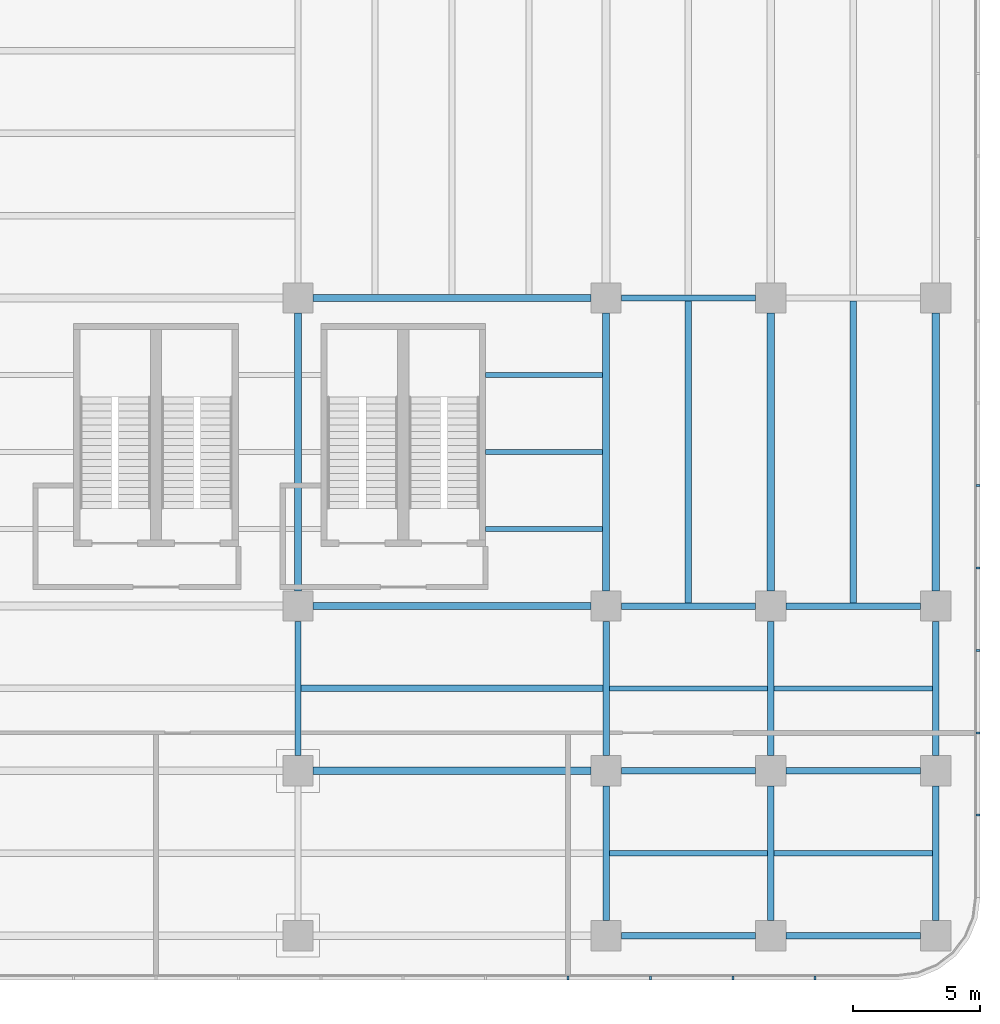
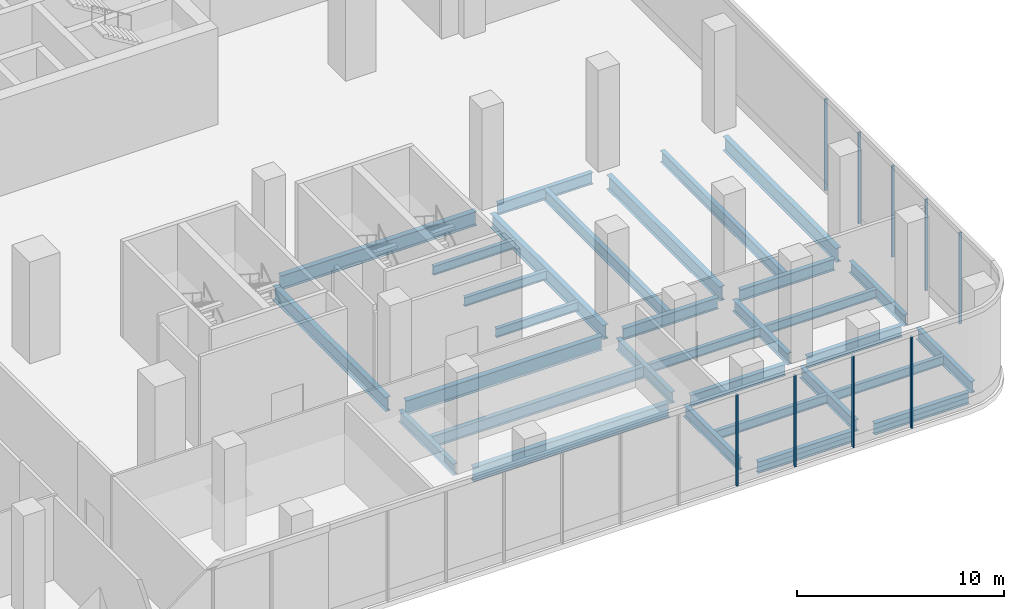
# One storey, part 15 of 41: 31 beams, 9 members, 2 elements without a shape of their own.
"""IFC4 building model written with IfcOpenShell, lengths in metres."""

from ifc_helpers import new_model, si_unit, direction, frame, origin, origin_2d, place, context, subcontext, project, spatial, rectangle, i_section, extrude, source, transform, mapped, material, layer, layer_set, material_profile, profile_set, type_object, element, aggregate, save


model = new_model("IFC4")

# Units and contexts
model_context = context("Model", 3, precision=1e-05, world=origin(), true_north=direction((0.0, 1.0)))
body_context = subcontext(model_context, "Body", "Model", "MODEL_VIEW")
ifc_project = project(units=[si_unit("LENGTHUNIT", "METRE"), si_unit("AREAUNIT", "SQUARE_METRE"), si_unit("VOLUMEUNIT", "CUBIC_METRE"), si_unit("PLANEANGLEUNIT", "RADIAN"), si_unit("MASSUNIT", "GRAM", prefix="KILO")], contexts=[model_context])

# Site, building, storey
site_placement = place(None, origin())
site = spatial("IfcSite", under=ifc_project, at=site_placement, CompositionType="ELEMENT")
building_placement = place(site_placement, origin())
building = spatial("IfcBuilding", under=site, at=building_placement, Name="Trellis Farm Tower", CompositionType="ELEMENT")
storey_placement = place(building_placement, frame((0.0, 0.0, 8.0)))
storey = spatial("IfcBuildingStorey", under=building, at=storey_placement, Name="L01", CompositionType="ELEMENT", Elevation=8.0)

# Beams
ifc_material_1 = material(Name="Steel S355", Category="steel")
ifc_material_profile_1 = material_profile(ifc_material_1, i_section(OverallWidth=0.253662109375, OverallDepth=0.68359375, WebThickness=0.012451171875, FlangeThickness=0.021728515625, FilletRadius=0.01513671875, at=origin_2d()), Name="UB 686x254x140")
ifc_profile_set_1 = profile_set([ifc_material_profile_1], Name="Steel S355")
beam_type_1 = type_object("IfcBeamType", Name="UB 686x254x140", PredefinedType="BEAM", material=ifc_profile_set_1)
shared_shape_1 = source(origin(), body_context, "Body", "SweptSolid", [
    extrude(i_section(OverallWidth=0.253662109375, OverallDepth=0.68359375, WebThickness=0.012451171875, FlangeThickness=0.021728515625, FilletRadius=0.01513671875, at=origin_2d()), origin(), (0.0, 0.0, 1.0), 5.2998046875),
])
for number, where, z_axis, x_axis, name in (
    (1, (31.35009765625, -43.75, -0.641845703125), (1.0, 0.0, 0.0), (0.0, 1.0, 0.0), "Girder"),
    (2, (37.85009765625, -43.75, -0.641845703125), (1.0, 0.0, 0.0), (0.0, 1.0, 0.0), "Girder"),
    (3, (31.35009765625, -37.25, -0.641845703125), (1.0, 0.0, 0.0), (0.0, 1.0, 0.0), "Girder"),
    (4, (37.85009765625, -37.25, -0.641845703125), (1.0, 0.0, 0.0), (0.0, 1.0, 0.0), "Girder"),
    (5, (31.35009765625, -30.75, -0.641845703125), (1.0, 0.0, 0.0), (0.0, 1.0, 0.0), "Girder"),
    (6, (37.85009765625, -30.75, -0.641845703125), (1.0, 0.0, 0.0), (0.0, 1.0, 0.0), "Girder"),
    (7, (31.35009765625, -18.60009765625, -0.641845703125), (1.0, 0.0, 0.0), (0.0, 1.0, 0.0), "Girder"),
    (8, (18.60009765625, -36.64990234375, -0.641845703125), (0.0, 1.0, 0.0), (-1.0, 0.0, 0.0), "Girder"),
    (9, (30.75, -43.14990234375, -0.641845703125), (0.0, 1.0, 0.0), (-1.0, 0.0, 0.0), "Girder"),
    (10, (30.75, -36.64990234375, -0.641845703125), (0.0, 1.0, 0.0), (-1.0, 0.0, 0.0), "Girder"),
    (11, (37.25, -43.14990234375, -0.641845703125), (0.0, 1.0, 0.0), (-1.0, 0.0, 0.0), "Girder"),
    (12, (37.25, -36.64990234375, -0.641845703125), (0.0, 1.0, 0.0), (-1.0, 0.0, 0.0), "Girder"),
    (13, (43.75, -43.14990234375, -0.641845703125), (0.0, 1.0, 0.0), (-1.0, 0.0, 0.0), "Girder"),
    (14, (43.75, -36.64990234375, -0.641845703125), (0.0, 1.0, 0.0), (-1.0, 0.0, 0.0), "Girder"),
):
    element("IfcBeam", number, at=place(storey_placement, frame(where, z_axis=z_axis, x_axis=x_axis)), inside=storey, type_object=beam_type_1, Name=name, PredefinedType="BEAM", context=body_context, shape_type="MappedRepresentation", body=[
        mapped(shared_shape_1, transform((0.0, 0.0, 0.0))),
    ])
ifc_material_profile_2 = material_profile(ifc_material_1, i_section(OverallWidth=0.29248046875, OverallDepth=0.8408203125, WebThickness=0.0146484375, FlangeThickness=0.021728515625, FilletRadius=0.017822265625, at=origin_2d()), Name="UB 838x292x194")
ifc_profile_set_2 = profile_set([ifc_material_profile_2], Name="Steel S355")
beam_type_2 = type_object("IfcBeamType", Name="UB 838x292x194", PredefinedType="BEAM", material=ifc_profile_set_2)
shared_shape_2 = source(origin(), body_context, "Body", "SweptSolid", [
    extrude(i_section(OverallWidth=0.29248046875, OverallDepth=0.8408203125, WebThickness=0.0146484375, FlangeThickness=0.021728515625, FilletRadius=0.017822265625, at=origin_2d()), origin(), (0.0, 0.0, 1.0), 10.949951171875),
])
for number, where, z_axis, x_axis, name in (
    (15, (19.199951171875, -37.25, -0.72021484375), (1.0, 0.0, 0.0), (0.0, 1.0, 0.0), "Girder"),
    (16, (19.199951171875, -30.75, -0.72021484375), (1.0, 0.0, 0.0), (0.0, 1.0, 0.0), "Girder"),
    (17, (19.199951171875, -18.60009765625, -0.72021484375), (1.0, 0.0, 0.0), (0.0, 1.0, 0.0), "Girder"),
    (18, (18.60009765625, -30.14990234375, -0.72021484375), (0.0, 1.0, 0.0), (-1.0, 0.0, 0.0), "Girder"),
    (19, (30.75, -30.14990234375, -0.72021484375), (0.0, 1.0, 0.0), (-1.0, 0.0, 0.0), "Girder"),
    (20, (37.25, -30.14990234375, -0.72021484375), (0.0, 1.0, 0.0), (-1.0, 0.0, 0.0), "Girder"),
    (21, (43.75, -30.14990234375, -0.72021484375), (0.0, 1.0, 0.0), (-1.0, 0.0, 0.0), "Girder"),
):
    element("IfcBeam", number, at=place(storey_placement, frame(where, z_axis=z_axis, x_axis=x_axis)), inside=storey, type_object=beam_type_2, Name=name, PredefinedType="BEAM", context=body_context, shape_type="MappedRepresentation", body=[
        mapped(shared_shape_2, transform((0.0, 0.0, 0.0))),
    ])
ifc_material_profile_3 = material_profile(ifc_material_1, i_section(OverallWidth=0.253662109375, OverallDepth=0.68359375, WebThickness=0.012451171875, FlangeThickness=0.021728515625, FilletRadius=0.01513671875, at=origin_2d()), Name="UB 686x254x140")
ifc_profile_set_3 = profile_set([ifc_material_profile_3], Name="Steel S355")
beam_type_3 = type_object("IfcBeamType", Name="UB 686x254x140 joist", PredefinedType="JOIST", material=ifc_profile_set_3)
shared_shape_3 = source(origin(), body_context, "Body", "SweptSolid", [
    extrude(i_section(OverallWidth=0.253662109375, OverallDepth=0.68359375, WebThickness=0.012451171875, FlangeThickness=0.021728515625, FilletRadius=0.01513671875, at=origin_2d()), origin(), (0.0, 0.0, 1.0), 11.896240234375),
])
for number, where, z_axis, x_axis, name in (
    (22, (18.726806640625, -34.0, -0.641845703125), (1.0, 0.0, 0.0), (0.0, 1.0, 0.0), "Floor beam"),
    (23, (34.0, -30.623046875, -0.641845703125), (0.0, 1.0, 0.0), (-1.0, 0.0, 0.0), "Floor beam"),
    (24, (40.5, -30.623046875, -0.641845703125), (0.0, 1.0, 0.0), (-1.0, 0.0, 0.0), "Floor beam"),
):
    element("IfcBeam", number, at=place(storey_placement, frame(where, z_axis=z_axis, x_axis=x_axis)), inside=storey, type_object=beam_type_3, Name=name, PredefinedType="JOIST", context=body_context, shape_type="MappedRepresentation", body=[
        mapped(shared_shape_3, transform((0.0, 0.0, 0.0))),
    ])
ifc_material_profile_4 = material_profile(ifc_material_1, i_section(OverallWidth=0.209228515625, OverallDepth=0.533203125, WebThickness=0.010009765625, FlangeThickness=0.015625, FilletRadius=0.0126953125, at=origin_2d()), Name="UB 533x210x92")
ifc_profile_set_4 = profile_set([ifc_material_profile_4], Name="Steel S355")
beam_type_4 = type_object("IfcBeamType", Name="UB 533x210x92 joist", PredefinedType="JOIST", material=ifc_profile_set_4)
shared_shape_4 = source(origin(), body_context, "Body", "SweptSolid", [
    extrude(i_section(OverallWidth=0.209228515625, OverallDepth=0.533203125, WebThickness=0.010009765625, FlangeThickness=0.015625, FilletRadius=0.0126953125, at=origin_2d()), origin(), (0.0, 0.0, 1.0), 6.246337890625),
])
for number, where, z_axis, x_axis, name in (
    (25, (30.876953125, -40.5, -0.56640625), (1.0, 0.0, 0.0), (0.0, 1.0, 0.0), "Floor beam"),
    (26, (30.876953125, -34.0, -0.56640625), (1.0, 0.0, 0.0), (0.0, 1.0, 0.0), "Floor beam"),
):
    element("IfcBeam", number, at=place(storey_placement, frame(where, z_axis=z_axis, x_axis=x_axis)), inside=storey, type_object=beam_type_4, Name=name, PredefinedType="JOIST", context=body_context, shape_type="MappedRepresentation", body=[
        mapped(shared_shape_4, transform((0.0, 0.0, 0.0))),
    ])
shared_shape_5 = source(origin(), body_context, "Body", "SweptSolid", [
    extrude(i_section(OverallWidth=0.209228515625, OverallDepth=0.533203125, WebThickness=0.010009765625, FlangeThickness=0.015625, FilletRadius=0.0126953125, at=origin_2d()), origin(), (0.0, 0.0, 1.0), 6.24658203125),
])
for number, where, z_axis, x_axis, name in (
    (27, (37.376708984375, -40.5, -0.56640625), (1.0, 0.0, 0.0), (0.0, 1.0, 0.0), "Floor beam"),
    (28, (37.376708984375, -34.0, -0.56640625), (1.0, 0.0, 0.0), (0.0, 1.0, 0.0), "Floor beam"),
):
    element("IfcBeam", number, at=place(storey_placement, frame(where, z_axis=z_axis, x_axis=x_axis)), inside=storey, type_object=beam_type_4, Name=name, PredefinedType="JOIST", context=body_context, shape_type="MappedRepresentation", body=[
        mapped(shared_shape_5, transform((0.0, 0.0, 0.0))),
    ])
shared_shape_6 = source(origin(), body_context, "Body", "SweptSolid", [
    extrude(i_section(OverallWidth=0.209228515625, OverallDepth=0.533203125, WebThickness=0.010009765625, FlangeThickness=0.015625, FilletRadius=0.0126953125, at=origin_2d()), origin(), (0.0, 0.0, 1.0), 4.603759765625),
])
for number, where, z_axis, x_axis, name in (
    (29, (26.0, -27.71240234375, -0.56640625), (1.0, 0.0, 0.0), (0.0, 1.0, 0.0), "Floor beam"),
    (30, (26.0, -24.675048828125, -0.56640625), (1.0, 0.0, 0.0), (0.0, 1.0, 0.0), "Floor beam"),
    (31, (26.0, -21.637451171875, -0.56640625), (1.0, 0.0, 0.0), (0.0, 1.0, 0.0), "Floor beam"),
):
    element("IfcBeam", number, at=place(storey_placement, frame(where, z_axis=z_axis, x_axis=x_axis)), inside=storey, type_object=beam_type_4, Name=name, PredefinedType="JOIST", context=body_context, shape_type="MappedRepresentation", body=[
        mapped(shared_shape_6, transform((0.0, 0.0, 0.0))),
    ])

# Curtain wall, members
ifc_material_2 = material(Name="Aluminium and glass curtain wall", Category="aluminium")
ifc_layer = layer(ifc_material_2, 0.201904296875)
ifc_layer_set = layer_set([ifc_layer], Name="SHOPFRONT CURTAIN WALL CW2")
curtain_wall_type = type_object("IfcCurtainWallType", Name="SHOPFRONT CURTAIN WALL CW2", PredefinedType="NOTDEFINED", material=ifc_layer_set)
placement = place(storey_placement, origin())
curtain_wall_1 = element("IfcCurtainWall", 32, at=placement, inside=storey, type_object=curtain_wall_type, Name="CW2 001", PredefinedType="NOTDEFINED")
ifc_material_3 = material(Name="Aluminium extrusion 6063-T6", Category="aluminium")
ifc_material_profile_5 = material_profile(ifc_material_3, rectangle(XDim=0.080078125, YDim=0.14990234375, at=origin_2d()), Name="MULLION 80x150")
ifc_profile_set_5 = profile_set([ifc_material_profile_5], Name="Aluminium extrusion 6063-T6")
member_type = type_object("IfcMemberType", Name="CW2 MULLION 80x150", PredefinedType="MULLION", material=ifc_profile_set_5)
shared_shape_7 = source(origin(), body_context, "Body", "SweptSolid", [
    extrude(rectangle(XDim=0.080078125, YDim=0.14990234375, at=origin_2d()), origin(), (0.0, 0.0, 1.0), 5.39990234375),
])
member_1_placement = place(storey_placement, frame((45.425048828125, -39.0, 0.0), z_axis=(0.0, 0.0, 1.0), x_axis=(0.0, 1.0, 0.0)))
member_1 = element("IfcMember", 33, at=member_1_placement, type_object=member_type, Name="MU2 001-01", PredefinedType="MULLION", context=body_context, shape_type="MappedRepresentation", body=[
    mapped(shared_shape_7, transform((0.0, 0.0, 0.0))),
])
member_2_placement = place(storey_placement, frame((45.425048828125, -35.75, 0.0), z_axis=(0.0, 0.0, 1.0), x_axis=(0.0, 1.0, 0.0)))
member_2 = element("IfcMember", 34, at=member_2_placement, type_object=member_type, Name="MU2 001-02", PredefinedType="MULLION", context=body_context, shape_type="MappedRepresentation", body=[
    mapped(shared_shape_7, transform((0.0, 0.0, 0.0))),
])
member_3_placement = place(storey_placement, frame((45.425048828125, -32.5, 0.0), z_axis=(0.0, 0.0, 1.0), x_axis=(0.0, 1.0, 0.0)))
member_3 = element("IfcMember", 35, at=member_3_placement, type_object=member_type, Name="MU2 001-03", PredefinedType="MULLION", context=body_context, shape_type="MappedRepresentation", body=[
    mapped(shared_shape_7, transform((0.0, 0.0, 0.0))),
])
member_4_placement = place(storey_placement, frame((45.425048828125, -29.25, 0.0), z_axis=(0.0, 0.0, 1.0), x_axis=(0.0, 1.0, 0.0)))
member_4 = element("IfcMember", 36, at=member_4_placement, type_object=member_type, Name="MU2 001-04", PredefinedType="MULLION", context=body_context, shape_type="MappedRepresentation", body=[
    mapped(shared_shape_7, transform((0.0, 0.0, 0.0))),
])
member_5_placement = place(storey_placement, frame((45.425048828125, -26.0, 0.0), z_axis=(0.0, 0.0, 1.0), x_axis=(0.0, 1.0, 0.0)))
member_5 = element("IfcMember", 37, at=member_5_placement, type_object=member_type, Name="MU2 001-05", PredefinedType="MULLION", context=body_context, shape_type="MappedRepresentation", body=[
    mapped(shared_shape_7, transform((0.0, 0.0, 0.0))),
])
aggregate(curtain_wall_1, [member_1, member_2, member_3, member_4, member_5])

curtain_wall_2 = element("IfcCurtainWall", 38, at=placement, inside=storey, type_object=curtain_wall_type, Name="CW2 008", PredefinedType="NOTDEFINED")
member_6_placement = place(storey_placement, frame((29.25, -45.425048828125, 0.0), z_axis=(0.0, 0.0, 1.0), x_axis=(1.0, 0.0, 0.0)))
member_6 = element("IfcMember", 39, at=member_6_placement, type_object=member_type, Name="MU2 008-07", PredefinedType="MULLION", context=body_context, shape_type="MappedRepresentation", body=[
    mapped(shared_shape_7, transform((0.0, 0.0, 0.0))),
])
member_7_placement = place(storey_placement, frame((32.5, -45.425048828125, 0.0), z_axis=(0.0, 0.0, 1.0), x_axis=(1.0, 0.0, 0.0)))
member_7 = element("IfcMember", 40, at=member_7_placement, type_object=member_type, Name="MU2 008-08", PredefinedType="MULLION", context=body_context, shape_type="MappedRepresentation", body=[
    mapped(shared_shape_7, transform((0.0, 0.0, 0.0))),
])
member_8_placement = place(storey_placement, frame((35.75, -45.425048828125, 0.0), z_axis=(0.0, 0.0, 1.0), x_axis=(1.0, 0.0, 0.0)))
member_8 = element("IfcMember", 41, at=member_8_placement, type_object=member_type, Name="MU2 008-09", PredefinedType="MULLION", context=body_context, shape_type="MappedRepresentation", body=[
    mapped(shared_shape_7, transform((0.0, 0.0, 0.0))),
])
member_9_placement = place(storey_placement, frame((39.0, -45.425048828125, 0.0), z_axis=(0.0, 0.0, 1.0), x_axis=(1.0, 0.0, 0.0)))
member_9 = element("IfcMember", 42, at=member_9_placement, type_object=member_type, Name="MU2 008-10", PredefinedType="MULLION", context=body_context, shape_type="MappedRepresentation", body=[
    mapped(shared_shape_7, transform((0.0, 0.0, 0.0))),
])
aggregate(curtain_wall_2, [member_6, member_7, member_8, member_9])

save(model, "model.ifc")
